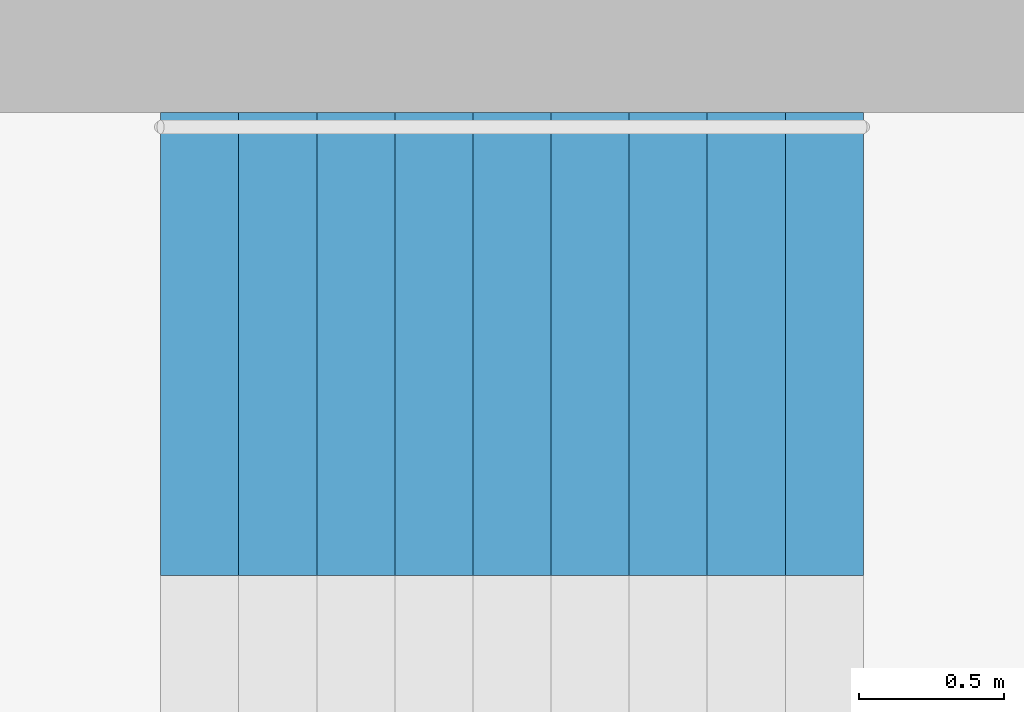
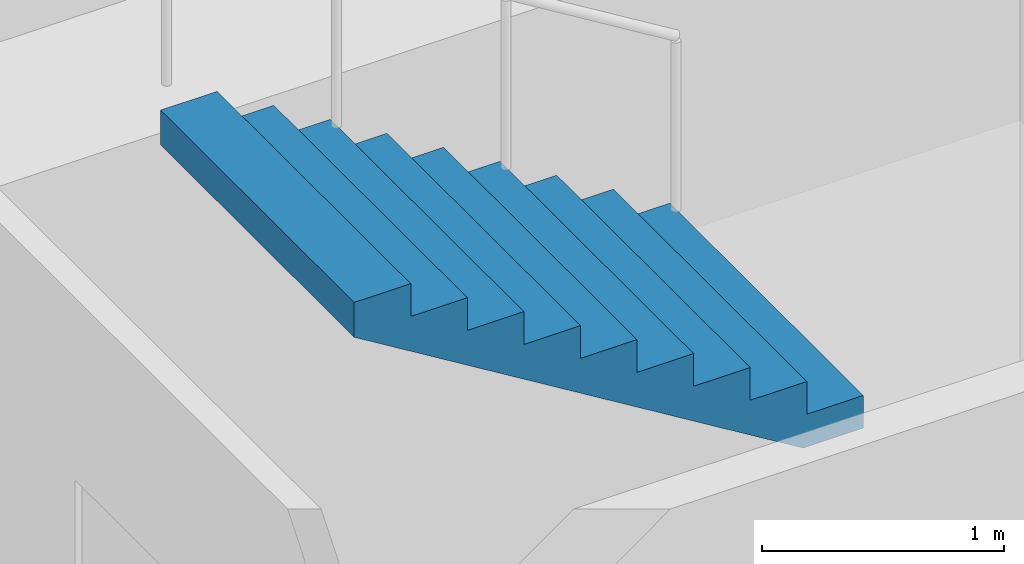
# One storey, part 11 of 14: 1 stair flight, 1 element without a shape of its own.
"""IFC4 building model written with IfcOpenShell, lengths in metres."""

from ifc_helpers import new_model, si_unit, direction, frame, origin, place, context, subcontext, project, spatial, polyline, outline, extrude, material, type_object, element, aggregate, save


model = new_model("IFC4")

# Units and contexts
model_context = context("Model", 3, precision=1e-05, world=origin(), true_north=direction((0.0, 1.0)))
body_context = subcontext(model_context, "Body", "Model", "MODEL_VIEW")
ifc_project = project(units=[si_unit("LENGTHUNIT", "METRE"), si_unit("AREAUNIT", "SQUARE_METRE"), si_unit("VOLUMEUNIT", "CUBIC_METRE"), si_unit("PLANEANGLEUNIT", "RADIAN"), si_unit("MASSUNIT", "GRAM", prefix="KILO")], contexts=[model_context])

# Site, building, storey
site_placement = place(None, origin())
site = spatial("IfcSite", under=ifc_project, at=site_placement, CompositionType="ELEMENT")
building_placement = place(site_placement, origin())
building = spatial("IfcBuilding", under=site, at=building_placement, Name="Taillehof Tower", CompositionType="ELEMENT")
storey_placement = place(building_placement, frame((0.0, 0.0, 25.0)))
storey = spatial("IfcBuildingStorey", under=building, at=storey_placement, Name="L05", CompositionType="ELEMENT", Elevation=25.0)

# Stair, stair flight
ifc_material_1 = material(Name="Concrete C40/50", Category="concrete")
stair_type = type_object("IfcStairType", Name="Exit stair half-turn", PredefinedType="HALF_TURN_STAIR", material=ifc_material_1)
stair_placement = place(storey_placement, origin())
stair = element("IfcStair", 1, at=stair_placement, inside=storey, type_object=stair_type, Name="Exit stair S1", PredefinedType="HALF_TURN_STAIR")
ifc_material_2 = material(Name="Concrete C40/50", Category="concrete")
stair_flight_type = type_object("IfcStairFlightType", Name="Stair flight 1600 riser 165.0 going 270", PredefinedType="STRAIGHT", material=ifc_material_2)
stair_flight_placement = place(storey_placement, frame((9.429931640625, 8.300048828125, 1.64990234375), z_axis=(0.0, 0.0, 1.0), x_axis=(-1.0, 0.0, 0.0)))
stair_flight = element("IfcStairFlight", 2, at=stair_flight_placement, type_object=stair_flight_type, Name="S1 flight 2", NumberOfRisers=10, NumberOfTreads=9, PredefinedType="STRAIGHT", RiserHeight=0.165, TreadLength=0.27, context=body_context, shape_type="SweptSolid", body=[
    extrude(outline(polyline([(0.0, 0.0), (0.0, 0.00537109375), (0.0, 0.0107421875), (0.0, 0.015869140625), (0.0, 0.021240234375), (0.0, 0.026611328125), (0.0, 0.031982421875), (0.0, 0.037353515625), (0.0, 0.04248046875), (0.0, 0.0478515625), (0.0, 0.05322265625), (0.0, 0.05859375), (0.0, 0.06396484375), (0.0, 0.069091796875), (0.0, 0.074462890625), (0.0, 0.079833984375), (0.0, 0.085205078125), (0.0, 0.090576171875), (0.0, 0.095703125), (0.0, 0.10107421875), (0.0, 0.1064453125), (0.0, 0.11181640625), (0.0, 0.1171875), (0.0, 0.122314453125), (0.0, 0.127685546875), (0.0, 0.133056640625), (0.0, 0.138427734375), (0.0, 0.143798828125), (0.0, 0.14892578125), (0.0, 0.154296875), (0.0, 0.15966796875), (0.0, 0.1650390625), (0.27001953125, 0.1650390625), (0.27001953125, 0.330078125), (0.5400390625, 0.330078125), (0.5400390625, 0.4951171875), (0.81005859375, 0.4951171875), (0.81005859375, 0.659912109375), (1.080078125, 0.659912109375), (1.080078125, 0.824951171875), (1.35009765625, 0.824951171875), (1.35009765625, 0.989990234375), (1.6201171875, 0.989990234375), (1.6201171875, 1.155029296875), (1.889892578125, 1.155029296875), (1.889892578125, 1.320068359375), (2.159912109375, 1.320068359375), (2.159912109375, 1.485107421875), (2.429931640625, 1.485107421875), (2.429931640625, 1.479248046875), (2.429931640625, 1.4736328125), (2.429931640625, 1.468017578125), (2.429931640625, 1.46240234375), (2.429931640625, 1.45654296875), (2.429931640625, 1.450927734375), (2.429931640625, 1.4453125), (2.429931640625, 1.439697265625), (2.429931640625, 1.43408203125), (2.429931640625, 1.42822265625), (2.429931640625, 1.422607421875), (2.429931640625, 1.4169921875), (2.429931640625, 1.411376953125), (2.429931640625, 1.40576171875), (2.429931640625, 1.39990234375), (2.429931640625, 1.394287109375), (2.429931640625, 1.388671875), (2.429931640625, 1.383056640625), (2.429931640625, 1.37744140625), (2.429931640625, 1.37158203125), (2.429931640625, 1.365966796875), (2.429931640625, 1.3603515625), (2.429931640625, 1.354736328125), (2.429931640625, 1.348876953125), (2.429931640625, 1.34326171875), (2.429931640625, 1.337646484375), (2.429931640625, 1.33203125), (2.429931640625, 1.326416015625), (2.429931640625, 1.320556640625), (2.429931640625, 1.31494140625), (2.429931640625, 1.309326171875), (0.287353515625, 0.0), (0.0, 0.0)])), frame((0.0, 0.800048828125, 0.0), z_axis=(0.0, -1.0, 0.0), x_axis=(1.0, 0.0, 0.0)), (0.0, 0.0, 1.0), 1.6),
])
aggregate(stair, [stair_flight])

save(model, "model.ifc")
